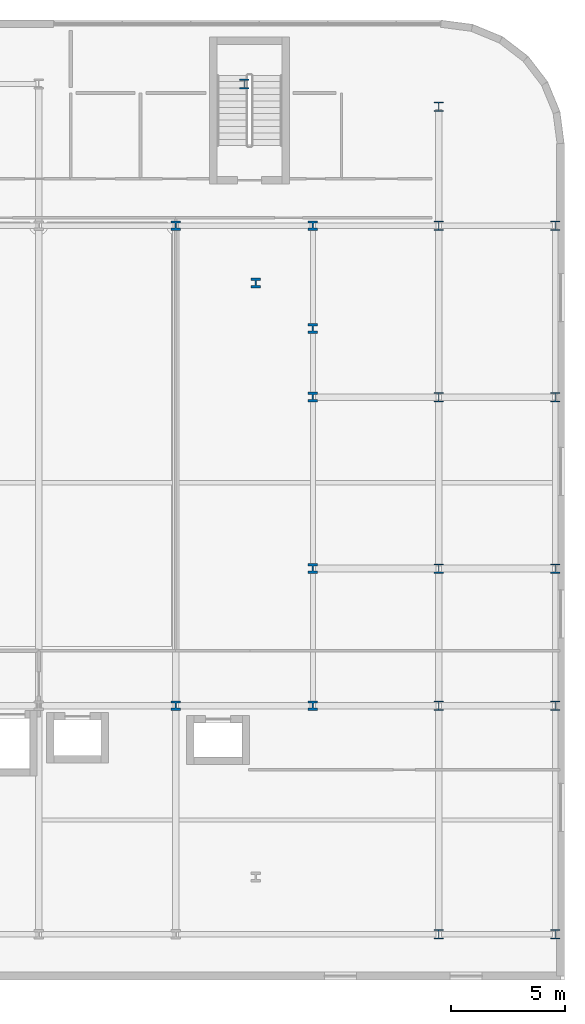
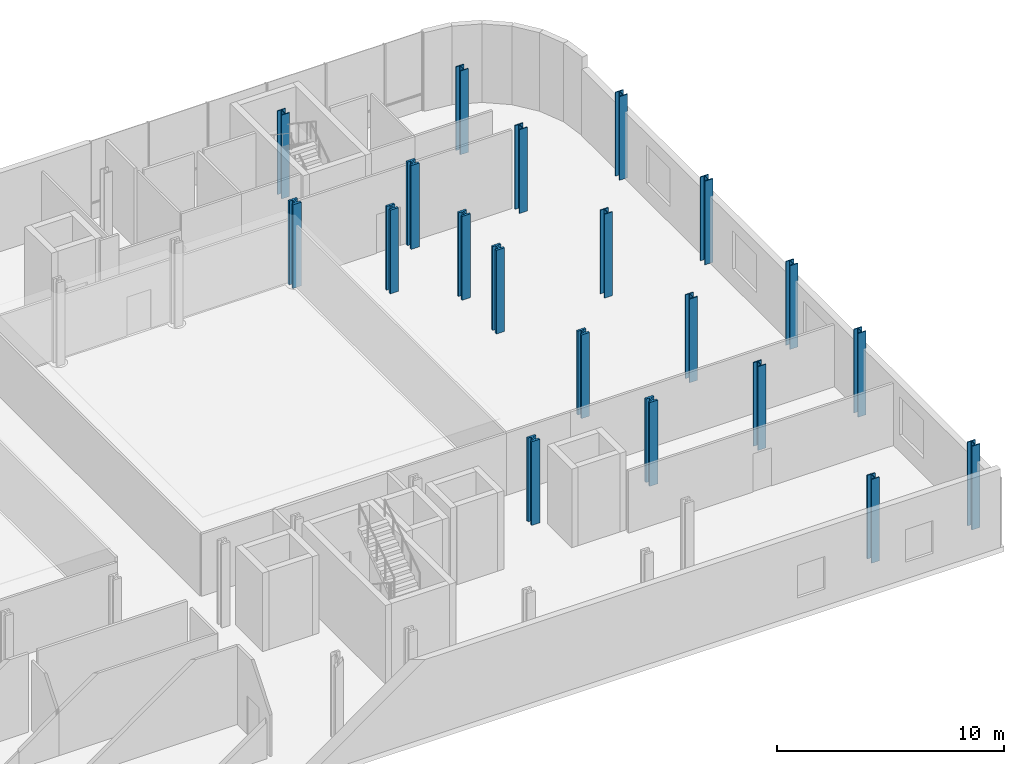
# One storey, part 2 of 25: 20 columns.
"""IFC4 building model written with IfcOpenShell, lengths in metres."""

from ifc_helpers import new_model, si_unit, direction, frame, origin, origin_2d, place, context, subcontext, project, spatial, i_section, extrude, material, material_profile, profile_set, type_object, element, save


model = new_model("IFC4")

# Units and contexts
model_context = context("Model", 3, precision=1e-05, world=origin(), true_north=direction((0.0, 1.0)))
body_context = subcontext(model_context, "Body", "Model", "MODEL_VIEW")
ifc_project = project(units=[si_unit("LENGTHUNIT", "METRE"), si_unit("AREAUNIT", "SQUARE_METRE"), si_unit("VOLUMEUNIT", "CUBIC_METRE"), si_unit("PLANEANGLEUNIT", "RADIAN"), si_unit("MASSUNIT", "GRAM", prefix="KILO")], contexts=[model_context])

# Site, building, storey
site_placement = place(None, origin())
site = spatial("IfcSite", under=ifc_project, at=site_placement, CompositionType="ELEMENT")
building_placement = place(site_placement, origin())
building = spatial("IfcBuilding", under=site, at=building_placement, Name="Brevholm Reach", CompositionType="ELEMENT")
storey_placement = place(building_placement, frame((0.0, 0.0, 13.5)))
storey = spatial("IfcBuildingStorey", under=building, at=storey_placement, Name="L03", CompositionType="ELEMENT", Elevation=13.5)

# Columns
ifc_material_1 = material(Name="Structural Steel S460ML", Category="steel")
ifc_material_profile_1 = material_profile(ifc_material_1, i_section(OverallWidth=0.4169921875, OverallDepth=0.430908203125, WebThickness=0.06494140625, FlangeThickness=0.10595703125, FilletRadius=0.014892578125, at=origin_2d()), Name="HD 400x900")
ifc_profile_set_1 = profile_set([ifc_material_profile_1], Name="Structural Steel S460ML")
column_type_1 = type_object("IfcColumnType", Name="COL-HD1B", PredefinedType="COLUMN", material=ifc_profile_set_1)
for number, where, z_axis, x_axis, name in (
    (1, (54.0, 10.0, 0.0), (0.0, 0.0, 1.0), (1.0, 0.0, 0.0), "L03 Column 51"),
    (2, (54.0, 31.0, 0.0), (0.0, 0.0, 1.0), (1.0, 0.0, 0.0), "L03 Column 52"),
    (3, (57.5, 28.5, 0.0), (0.0, 0.0, 1.0), (1.0, 0.0, 0.0), "L03 Column 55"),
    (4, (60.0, 10.0, 0.0), (0.0, 0.0, 1.0), (1.0, 0.0, 0.0), "L03 Column 56"),
    (5, (60.0, 16.0, 0.0), (0.0, 0.0, 1.0), (1.0, 0.0, 0.0), "L03 Column 57"),
    (6, (60.0, 23.5, 0.0), (0.0, 0.0, 1.0), (1.0, 0.0, 0.0), "L03 Column 58"),
    (7, (60.0, 26.5, 0.0), (0.0, 0.0, 1.0), (1.0, 0.0, 0.0), "L03 Column 59"),
    (8, (60.0, 31.0, 0.0), (0.0, 0.0, 1.0), (1.0, 0.0, 0.0), "L03 Column 60"),
):
    element("IfcColumn", number, at=place(storey_placement, frame(where, z_axis=z_axis, x_axis=x_axis)), inside=storey, type_object=column_type_1, Name=name, PredefinedType="COLUMN", context=body_context, shape_type="SweptSolid", body=[
        extrude(i_section(OverallWidth=0.4169921875, OverallDepth=0.430908203125, WebThickness=0.06494140625, FlangeThickness=0.10595703125, FilletRadius=0.014892578125, at=origin_2d()), origin(), (0.0, 0.0, 1.0), 4.5),
    ])
ifc_material_2 = material(Name="Structural Steel S355J2", Category="steel")
ifc_material_profile_2 = material_profile(ifc_material_2, i_section(OverallWidth=0.406982421875, OverallDepth=0.4189453125, WebThickness=0.030517578125, FlangeThickness=0.04931640625, FilletRadius=0.01513671875, at=origin_2d()), Name="UKC 356x406x393")
ifc_profile_set_2 = profile_set([ifc_material_profile_2], Name="Structural Steel S355J2")
column_type_2 = type_object("IfcColumnType", Name="COL-UC4", PredefinedType="COLUMN", material=ifc_profile_set_2)
for number, where, z_axis, x_axis, name in (
    (9, (57.0, 37.199951171875, 0.0), (0.0, 0.0, 1.0), (1.0, 0.0, 0.0), "L03 Column 53"),
    (10, (65.5, 0.0, 0.0), (0.0, 0.0, 1.0), (1.0, 0.0, 0.0), "L03 Column 61"),
    (11, (65.5, 10.0, 0.0), (0.0, 0.0, 1.0), (1.0, 0.0, 0.0), "L03 Column 62"),
    (12, (65.5, 16.0, 0.0), (0.0, 0.0, 1.0), (1.0, 0.0, 0.0), "L03 Column 63"),
    (13, (65.5, 23.5, 0.0), (0.0, 0.0, 1.0), (1.0, 0.0, 0.0), "L03 Column 64"),
    (14, (65.5, 31.0, 0.0), (0.0, 0.0, 1.0), (1.0, 0.0, 0.0), "L03 Column 65"),
    (15, (65.5, 36.199951171875, 0.0), (0.0, 0.0, 1.0), (1.0, 0.0, 0.0), "L03 Column 66"),
    (16, (70.60009765625, 0.0, 0.0), (0.0, 0.0, 1.0), (1.0, 0.0, 0.0), "L03 Column 67"),
    (17, (70.60009765625, 10.0, 0.0), (0.0, 0.0, 1.0), (1.0, 0.0, 0.0), "L03 Column 68"),
    (18, (70.60009765625, 16.0, 0.0), (0.0, 0.0, 1.0), (1.0, 0.0, 0.0), "L03 Column 69"),
    (19, (70.60009765625, 23.5, 0.0), (0.0, 0.0, 1.0), (1.0, 0.0, 0.0), "L03 Column 70"),
    (20, (70.60009765625, 31.0, 0.0), (0.0, 0.0, 1.0), (1.0, 0.0, 0.0), "L03 Column 71"),
):
    element("IfcColumn", number, at=place(storey_placement, frame(where, z_axis=z_axis, x_axis=x_axis)), inside=storey, type_object=column_type_2, Name=name, PredefinedType="COLUMN", context=body_context, shape_type="SweptSolid", body=[
        extrude(i_section(OverallWidth=0.406982421875, OverallDepth=0.4189453125, WebThickness=0.030517578125, FlangeThickness=0.04931640625, FilletRadius=0.01513671875, at=origin_2d()), origin(), (0.0, 0.0, 1.0), 4.5),
    ])

save(model, "model.ifc")
